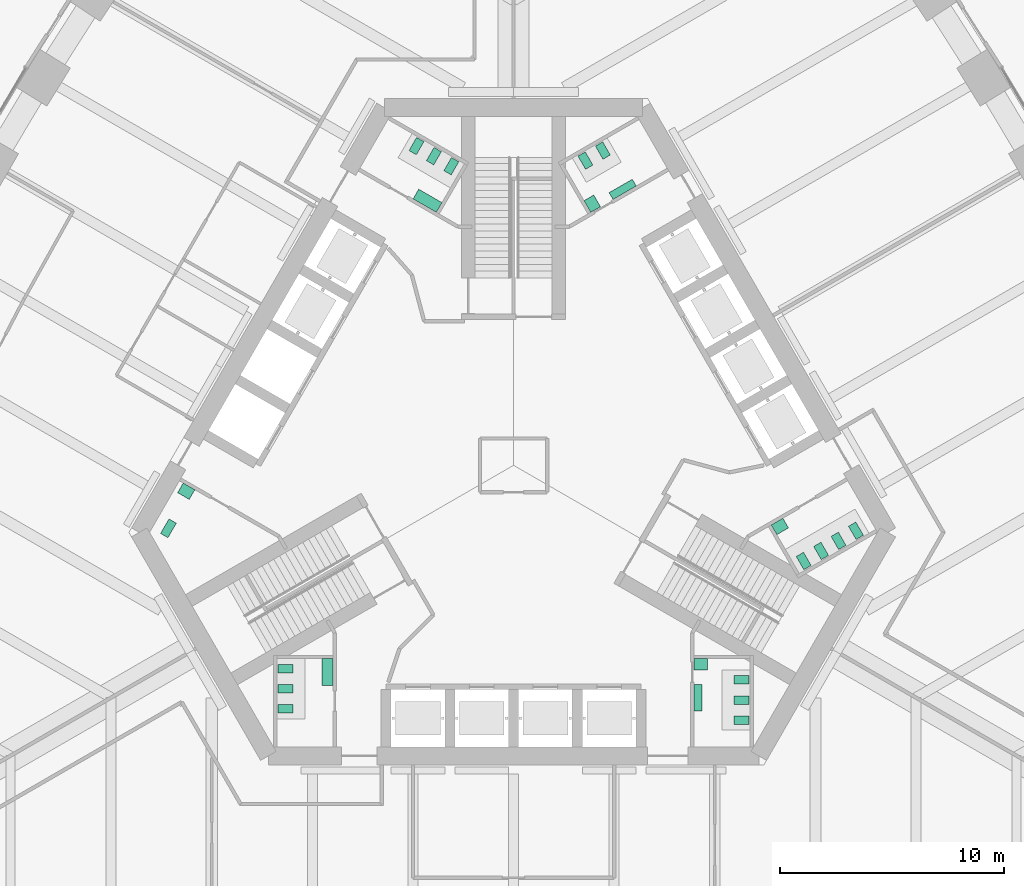
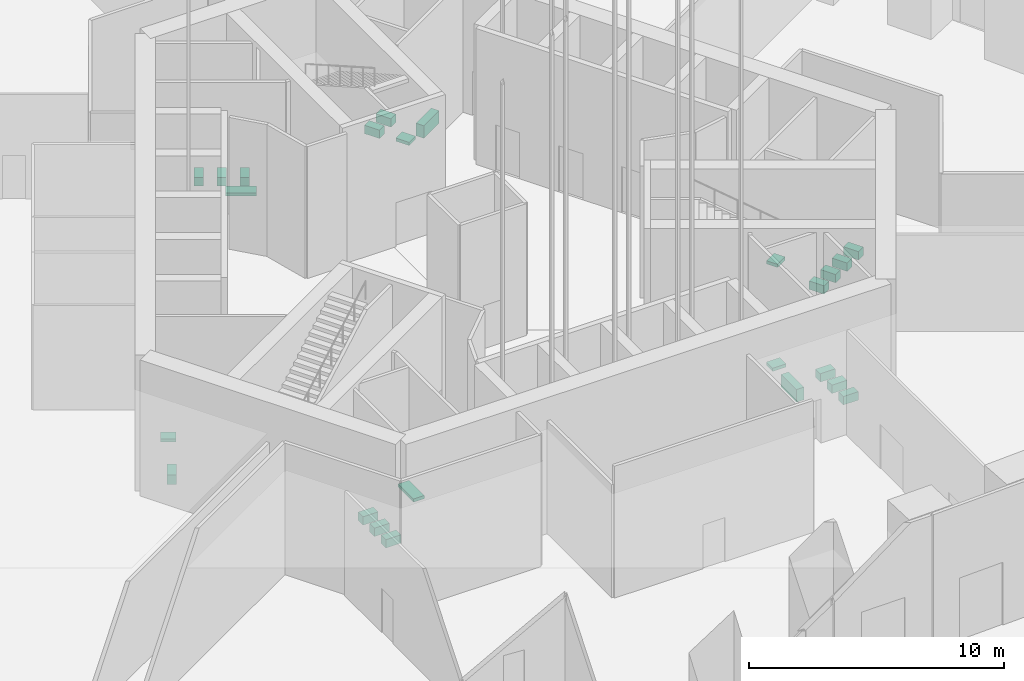
# One storey, part 22 of 43: 24 sanitary terminals.
"""IFC4 building model written with IfcOpenShell, lengths in metres."""

from ifc_helpers import new_model, si_unit, direction, frame, origin, place, context, subcontext, project, spatial, polyline, outline, extrude, material, type_object, element, save


model = new_model("IFC4")

# Units and contexts
model_context = context("Model", 3, precision=1e-05, world=origin(), true_north=direction((0.0, 1.0)))
body_context = subcontext(model_context, "Body", "Model", "MODEL_VIEW")
ifc_project = project(units=[si_unit("LENGTHUNIT", "METRE"), si_unit("AREAUNIT", "SQUARE_METRE"), si_unit("VOLUMEUNIT", "CUBIC_METRE"), si_unit("PLANEANGLEUNIT", "RADIAN"), si_unit("MASSUNIT", "GRAM", prefix="KILO")], contexts=[model_context])

# Site, building, storey
site_placement = place(None, origin())
site = spatial("IfcSite", under=ifc_project, at=site_placement, CompositionType="ELEMENT")
building_placement = place(site_placement, origin())
building = spatial("IfcBuilding", under=site, at=building_placement, Name="Trefoil Bronze Tower", CompositionType="ELEMENT")
storey_placement = place(building_placement, origin())
storey = spatial("IfcBuildingStorey", under=building, at=storey_placement, Name="L00", CompositionType="ELEMENT", Elevation=0.0)

# Sanitary terminals
ifc_material_1 = material(Name="Vitreous china", Category="ceramic")
sanitary_terminal_type_1 = type_object("IfcSanitaryTerminalType", Name="Accessible WC pan", PredefinedType="TOILETPAN", material=ifc_material_1)
sanitary_terminal_1_placement = place(storey_placement, origin())
element("IfcSanitaryTerminal", 1, at=sanitary_terminal_1_placement, inside=storey, type_object=sanitary_terminal_type_1, Name="WC pan 1 Accessible WC L00", PredefinedType="TOILETPAN", context=body_context, shape_type="SweptSolid", body=[
    extrude(outline(polyline([(-15.085693359375, -2.589111328125), (-15.460693359375, -3.238525390625), (-15.789794921875, -3.048583984375), (-15.414794921875, -2.399169921875), (-15.085693359375, -2.589111328125)])), origin(), (0.0, 0.0, 1.0), 0.449951171875),
])
ifc_material_2 = material(Name="Vitreous china", Category="ceramic")
sanitary_terminal_type_2 = type_object("IfcSanitaryTerminalType", Name="Accessible basin", PredefinedType="WASHHANDBASIN", material=ifc_material_2)
sanitary_terminal_2_placement = place(storey_placement, frame((0.0, 0.0, 0.64990234375)))
element("IfcSanitaryTerminal", 2, at=sanitary_terminal_2_placement, inside=storey, type_object=sanitary_terminal_type_2, Name="Wash basin Accessible WC L00", PredefinedType="WASHHANDBASIN", context=body_context, shape_type="SweptSolid", body=[
    extrude(outline(polyline([(-14.256591796875, -1.09326171875), (-14.506591796875, -1.526123046875), (-15.026123046875, -1.22607421875), (-14.776123046875, -0.793212890625), (-14.256591796875, -1.09326171875)])), origin(), (0.0, 0.0, 1.0), 0.150146484375),
])
ifc_material_3 = material(Name="Vitreous china", Category="ceramic")
sanitary_terminal_type_3 = type_object("IfcSanitaryTerminalType", Name="Urinal range 2 urinals", PredefinedType="URINAL", material=ifc_material_3)
sanitary_terminal_3_placement = place(storey_placement, frame((0.0, 0.0, 0.39990234375)))
element("IfcSanitaryTerminal", 3, at=sanitary_terminal_3_placement, inside=storey, type_object=sanitary_terminal_type_3, Name="Urinal range WC (men) L00", PredefinedType="URINAL", context=body_context, shape_type="SweptSolid", body=[
    extrude(outline(polyline([(8.074951171875, -9.800048828125), (8.425048828125, -9.800048828125), (8.425048828125, -11.0), (8.074951171875, -11.0), (8.074951171875, -9.800048828125)])), origin(), (0.0, 0.0, 1.0), 0.60009765625),
])
sanitary_terminal_4_placement = place(storey_placement, frame((0.0, 0.0, 0.39990234375)))
element("IfcSanitaryTerminal", 4, at=sanitary_terminal_4_placement, inside=storey, type_object=sanitary_terminal_type_3, Name="Urinal range WC (men) L00", PredefinedType="URINAL", context=body_context, shape_type="SweptSolid", body=[
    extrude(outline(polyline([(4.449462890625, 11.89306640625), (4.274658203125, 12.1962890625), (5.313720703125, 12.796142578125), (5.48876953125, 12.4931640625), (4.449462890625, 11.89306640625)])), origin(), (0.0, 0.0, 1.0), 0.60009765625),
])
ifc_material_4 = material(Name="Solid surface vanity", Category="plastic")
sanitary_terminal_type_4 = type_object("IfcSanitaryTerminalType", Name="Vanity unit 1 basins", PredefinedType="WASHHANDBASIN", material=ifc_material_4)
sanitary_terminal_5_placement = place(storey_placement, frame((0.0, 0.0, 0.75)))
element("IfcSanitaryTerminal", 5, at=sanitary_terminal_5_placement, inside=storey, type_object=sanitary_terminal_type_4, Name="Vanity unit WC (men) L00", PredefinedType="WASHHANDBASIN", context=body_context, shape_type="SweptSolid", body=[
    extrude(outline(polyline([(8.074951171875, -8.64990234375), (8.675048828125, -8.64990234375), (8.675048828125, -9.14990234375), (8.074951171875, -9.14990234375), (8.074951171875, -8.64990234375)])), origin(), (0.0, 0.0, 1.0), 0.14990234375),
])
sanitary_terminal_6_placement = place(storey_placement, frame((0.0, 0.0, 0.75)))
element("IfcSanitaryTerminal", 6, at=sanitary_terminal_6_placement, inside=storey, type_object=sanitary_terminal_type_4, Name="Vanity unit WC (women) L00", PredefinedType="WASHHANDBASIN", context=body_context, shape_type="SweptSolid", body=[
    extrude(outline(polyline([(11.528564453125, -2.668212890625), (11.778564453125, -3.10107421875), (12.29833984375, -2.80126953125), (12.04833984375, -2.3681640625), (11.528564453125, -2.668212890625)])), origin(), (0.0, 0.0, 1.0), 0.14990234375),
])
sanitary_terminal_7_placement = place(storey_placement, frame((0.0, 0.0, 0.75)))
element("IfcSanitaryTerminal", 7, at=sanitary_terminal_7_placement, inside=storey, type_object=sanitary_terminal_type_4, Name="Vanity unit WC (men) L00", PredefinedType="WASHHANDBASIN", context=body_context, shape_type="SweptSolid", body=[
    extrude(outline(polyline([(3.45361328125, 11.318115234375), (3.153564453125, 11.837890625), (3.586669921875, 12.087890625), (3.88671875, 11.568115234375), (3.45361328125, 11.318115234375)])), origin(), (0.0, 0.0, 1.0), 0.14990234375),
])
ifc_material_5 = material(Name="Solid surface vanity", Category="plastic")
sanitary_terminal_type_5 = type_object("IfcSanitaryTerminalType", Name="Vanity unit 2 basins", PredefinedType="WASHHANDBASIN", material=ifc_material_5)
sanitary_terminal_8_placement = place(storey_placement, frame((0.0, 0.0, 0.75)))
element("IfcSanitaryTerminal", 8, at=sanitary_terminal_8_placement, inside=storey, type_object=sanitary_terminal_type_5, Name="Vanity unit WC (women) L00", PredefinedType="WASHHANDBASIN", context=body_context, shape_type="SweptSolid", body=[
    extrude(outline(polyline([(-3.45361328125, 11.318115234375), (-3.20361328125, 11.751220703125), (-4.242919921875, 12.35107421875), (-4.492919921875, 11.918212890625), (-3.45361328125, 11.318115234375)])), origin(), (0.0, 0.0, 1.0), 0.14990234375),
])
sanitary_terminal_9_placement = place(storey_placement, frame((0.0, 0.0, 0.75)))
element("IfcSanitaryTerminal", 9, at=sanitary_terminal_9_placement, inside=storey, type_object=sanitary_terminal_type_5, Name="Vanity unit WC (women) L00", PredefinedType="WASHHANDBASIN", context=body_context, shape_type="SweptSolid", body=[
    extrude(outline(polyline([(-8.074951171875, -8.64990234375), (-8.574951171875, -8.64990234375), (-8.574951171875, -9.85009765625), (-8.074951171875, -9.85009765625), (-8.074951171875, -8.64990234375)])), origin(), (0.0, 0.0, 1.0), 0.14990234375),
])
ifc_material_6 = material(Name="Vitreous china", Category="ceramic")
sanitary_terminal_type_6 = type_object("IfcSanitaryTerminalType", Name="WC pan", PredefinedType="TOILETPAN", material=ifc_material_6)
sanitary_terminal_10_placement = place(storey_placement, origin())
element("IfcSanitaryTerminal", 10, at=sanitary_terminal_10_placement, inside=storey, type_object=sanitary_terminal_type_6, Name="WC pan 1 WC (men) L00", PredefinedType="TOILETPAN", context=body_context, shape_type="SweptSolid", body=[
    extrude(outline(polyline([(9.85498046875, -9.409912109375), (10.534912109375, -9.409912109375), (10.534912109375, -9.7900390625), (9.85498046875, -9.7900390625), (9.85498046875, -9.409912109375)])), origin(), (0.0, 0.0, 1.0), 0.39990234375),
])
sanitary_terminal_11_placement = place(storey_placement, origin())
element("IfcSanitaryTerminal", 11, at=sanitary_terminal_11_placement, inside=storey, type_object=sanitary_terminal_type_6, Name="WC pan 2 WC (men) L00", PredefinedType="TOILETPAN", context=body_context, shape_type="SweptSolid", body=[
    extrude(outline(polyline([(9.85498046875, -10.31005859375), (10.534912109375, -10.31005859375), (10.534912109375, -10.68994140625), (9.85498046875, -10.68994140625), (9.85498046875, -10.31005859375)])), origin(), (0.0, 0.0, 1.0), 0.39990234375),
])
sanitary_terminal_12_placement = place(storey_placement, origin())
element("IfcSanitaryTerminal", 12, at=sanitary_terminal_12_placement, inside=storey, type_object=sanitary_terminal_type_6, Name="WC pan 3 WC (men) L00", PredefinedType="TOILETPAN", context=body_context, shape_type="SweptSolid", body=[
    extrude(outline(polyline([(9.85498046875, -11.2099609375), (10.534912109375, -11.2099609375), (10.534912109375, -11.590087890625), (9.85498046875, -11.590087890625), (9.85498046875, -11.2099609375)])), origin(), (0.0, 0.0, 1.0), 0.39990234375),
])
sanitary_terminal_13_placement = place(storey_placement, origin())
element("IfcSanitaryTerminal", 13, at=sanitary_terminal_13_placement, inside=storey, type_object=sanitary_terminal_type_6, Name="WC pan 1 WC (women) L00", PredefinedType="TOILETPAN", context=body_context, shape_type="SweptSolid", body=[
    extrude(outline(polyline([(12.643798828125, -4.07958984375), (12.98388671875, -4.66845703125), (13.31298828125, -4.478515625), (12.972900390625, -3.8896484375), (12.643798828125, -4.07958984375)])), origin(), (0.0, 0.0, 1.0), 0.39990234375),
])
sanitary_terminal_14_placement = place(storey_placement, origin())
element("IfcSanitaryTerminal", 14, at=sanitary_terminal_14_placement, inside=storey, type_object=sanitary_terminal_type_6, Name="WC pan 2 WC (women) L00", PredefinedType="TOILETPAN", context=body_context, shape_type="SweptSolid", body=[
    extrude(outline(polyline([(13.423095703125, -3.629638671875), (13.76318359375, -4.218505859375), (14.09228515625, -4.028564453125), (13.752197265625, -3.439697265625), (13.423095703125, -3.629638671875)])), origin(), (0.0, 0.0, 1.0), 0.39990234375),
])
sanitary_terminal_15_placement = place(storey_placement, origin())
element("IfcSanitaryTerminal", 15, at=sanitary_terminal_15_placement, inside=storey, type_object=sanitary_terminal_type_6, Name="WC pan 3 WC (women) L00", PredefinedType="TOILETPAN", context=body_context, shape_type="SweptSolid", body=[
    extrude(outline(polyline([(14.20263671875, -3.1796875), (14.542724609375, -3.7685546875), (14.871826171875, -3.57861328125), (14.53173828125, -2.98974609375), (14.20263671875, -3.1796875)])), origin(), (0.0, 0.0, 1.0), 0.39990234375),
])
sanitary_terminal_16_placement = place(storey_placement, origin())
element("IfcSanitaryTerminal", 16, at=sanitary_terminal_16_placement, inside=storey, type_object=sanitary_terminal_type_6, Name="WC pan 4 WC (women) L00", PredefinedType="TOILETPAN", context=body_context, shape_type="SweptSolid", body=[
    extrude(outline(polyline([(14.98193359375, -2.729736328125), (15.322021484375, -3.318603515625), (15.651123046875, -3.128662109375), (15.31103515625, -2.539794921875), (14.98193359375, -2.729736328125)])), origin(), (0.0, 0.0, 1.0), 0.39990234375),
])
sanitary_terminal_17_placement = place(storey_placement, origin())
element("IfcSanitaryTerminal", 17, at=sanitary_terminal_17_placement, inside=storey, type_object=sanitary_terminal_type_6, Name="WC pan 1 WC (men) L00", PredefinedType="TOILETPAN", context=body_context, shape_type="SweptSolid", body=[
    extrude(outline(polyline([(3.2216796875, 13.23974609375), (2.8818359375, 13.82861328125), (3.2109375, 14.0185546875), (3.55078125, 13.4296875), (3.2216796875, 13.23974609375)])), origin(), (0.0, 0.0, 1.0), 0.39990234375),
])
sanitary_terminal_18_placement = place(storey_placement, origin())
element("IfcSanitaryTerminal", 18, at=sanitary_terminal_18_placement, inside=storey, type_object=sanitary_terminal_type_6, Name="WC pan 2 WC (men) L00", PredefinedType="TOILETPAN", context=body_context, shape_type="SweptSolid", body=[
    extrude(outline(polyline([(4.001220703125, 13.689697265625), (3.6611328125, 14.278564453125), (3.990234375, 14.468505859375), (4.330322265625, 13.879638671875), (4.001220703125, 13.689697265625)])), origin(), (0.0, 0.0, 1.0), 0.39990234375),
])
sanitary_terminal_19_placement = place(storey_placement, origin())
element("IfcSanitaryTerminal", 19, at=sanitary_terminal_19_placement, inside=storey, type_object=sanitary_terminal_type_6, Name="WC pan 1 WC (women) L00", PredefinedType="TOILETPAN", context=body_context, shape_type="SweptSolid", body=[
    extrude(outline(polyline([(-2.788818359375, 12.98974609375), (-2.44873046875, 13.57861328125), (-2.77783203125, 13.7685546875), (-3.117919921875, 13.1796875), (-2.788818359375, 12.98974609375)])), origin(), (0.0, 0.0, 1.0), 0.39990234375),
])
sanitary_terminal_20_placement = place(storey_placement, origin())
element("IfcSanitaryTerminal", 20, at=sanitary_terminal_20_placement, inside=storey, type_object=sanitary_terminal_type_6, Name="WC pan 2 WC (women) L00", PredefinedType="TOILETPAN", context=body_context, shape_type="SweptSolid", body=[
    extrude(outline(polyline([(-3.568115234375, 13.439697265625), (-3.228271484375, 14.028564453125), (-3.557373046875, 14.218505859375), (-3.897216796875, 13.629638671875), (-3.568115234375, 13.439697265625)])), origin(), (0.0, 0.0, 1.0), 0.39990234375),
])
sanitary_terminal_21_placement = place(storey_placement, origin())
element("IfcSanitaryTerminal", 21, at=sanitary_terminal_21_placement, inside=storey, type_object=sanitary_terminal_type_6, Name="WC pan 3 WC (women) L00", PredefinedType="TOILETPAN", context=body_context, shape_type="SweptSolid", body=[
    extrude(outline(polyline([(-4.34765625, 13.8896484375), (-4.007568359375, 14.478515625), (-4.336669921875, 14.66845703125), (-4.6767578125, 14.07958984375), (-4.34765625, 13.8896484375)])), origin(), (0.0, 0.0, 1.0), 0.39990234375),
])
sanitary_terminal_22_placement = place(storey_placement, origin())
element("IfcSanitaryTerminal", 22, at=sanitary_terminal_22_placement, inside=storey, type_object=sanitary_terminal_type_6, Name="WC pan 1 WC (women) L00", PredefinedType="TOILETPAN", context=body_context, shape_type="SweptSolid", body=[
    extrude(outline(polyline([(-9.85498046875, -8.909912109375), (-10.534912109375, -8.909912109375), (-10.534912109375, -9.2900390625), (-9.85498046875, -9.2900390625), (-9.85498046875, -8.909912109375)])), origin(), (0.0, 0.0, 1.0), 0.39990234375),
])
sanitary_terminal_23_placement = place(storey_placement, origin())
element("IfcSanitaryTerminal", 23, at=sanitary_terminal_23_placement, inside=storey, type_object=sanitary_terminal_type_6, Name="WC pan 2 WC (women) L00", PredefinedType="TOILETPAN", context=body_context, shape_type="SweptSolid", body=[
    extrude(outline(polyline([(-9.85498046875, -9.81005859375), (-10.534912109375, -9.81005859375), (-10.534912109375, -10.18994140625), (-9.85498046875, -10.18994140625), (-9.85498046875, -9.81005859375)])), origin(), (0.0, 0.0, 1.0), 0.39990234375),
])
sanitary_terminal_24_placement = place(storey_placement, origin())
element("IfcSanitaryTerminal", 24, at=sanitary_terminal_24_placement, inside=storey, type_object=sanitary_terminal_type_6, Name="WC pan 3 WC (women) L00", PredefinedType="TOILETPAN", context=body_context, shape_type="SweptSolid", body=[
    extrude(outline(polyline([(-9.85498046875, -10.7099609375), (-10.534912109375, -10.7099609375), (-10.534912109375, -11.090087890625), (-9.85498046875, -11.090087890625), (-9.85498046875, -10.7099609375)])), origin(), (0.0, 0.0, 1.0), 0.39990234375),
])

save(model, "model.ifc")
